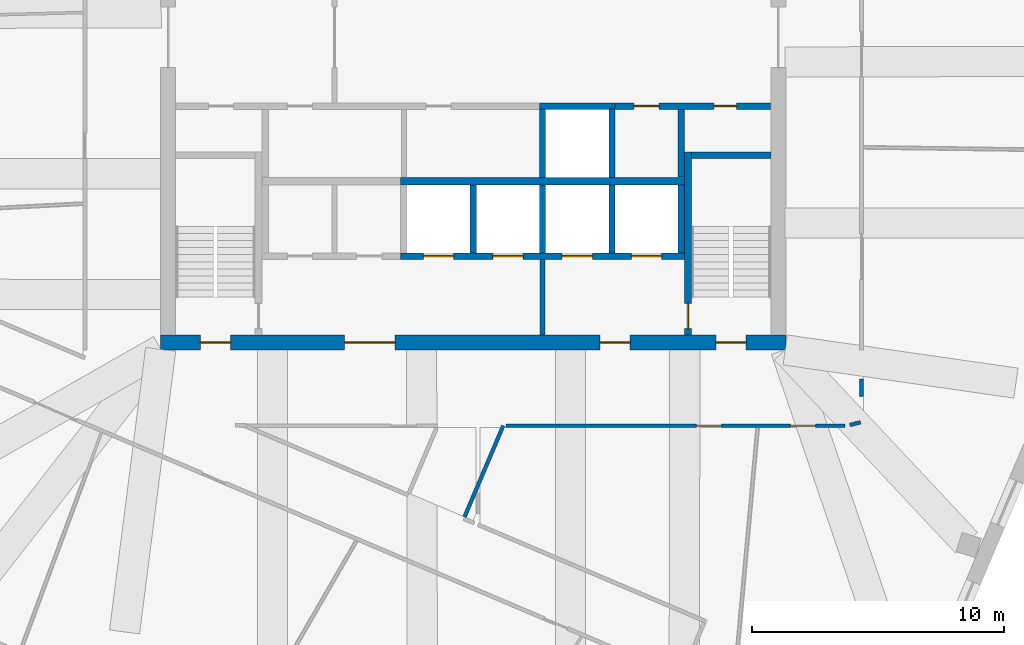
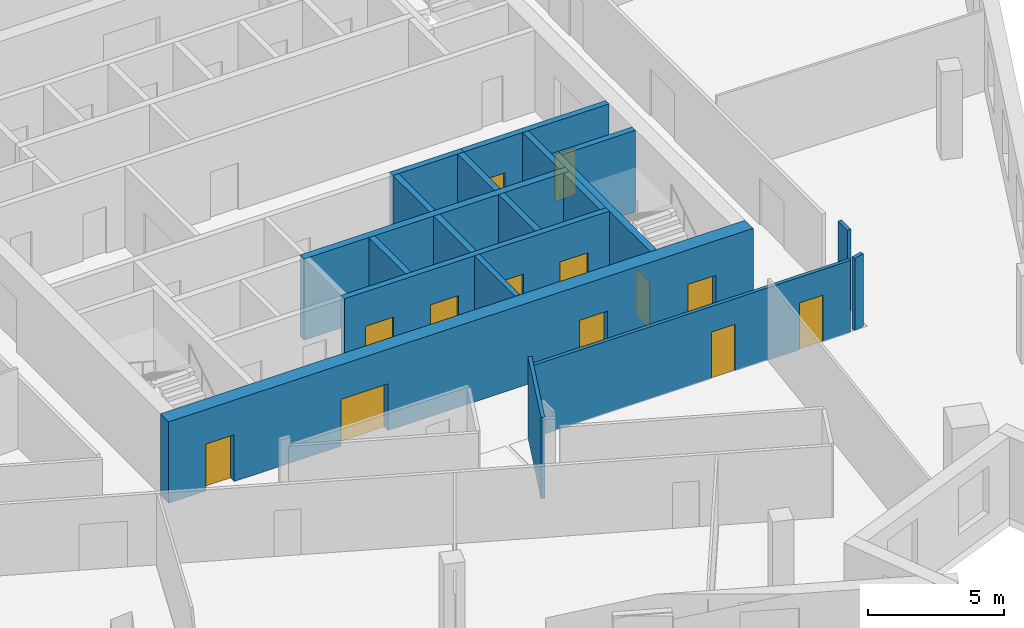
# One storey, part 7 of 13: 19 walls, 13 doors, 13 openings.
"""IFC4 building model written with IfcOpenShell, lengths in metres."""

import ifcopenshell
import ifcopenshell.guid

model = None  # the IFC model being written
_history = None  # IfcOwnerHistory: only IFC2X3 demands one
_inside = {}  # id of a spatial element -> (the spatial element, [elements in it])
_under = {}  # id of a project, library or spatial element -> (it, [spatial elements below it])
_declared = {}  # id of a project -> (the project, [libraries it declares])
_typed = {}  # id of a type object -> (the type object, [elements of that type])
_made_of = {}  # id of a material, layer set ... -> (it, [elements and type objects made of it])


def new_model(schema):
    """Start an empty IFC model of exactly this schema.

    Asked for "IFC4X3", IfcOpenShell would pick the latest addendum, in which some entities
    have other attributes; the version numbers below select the first issue.
    IFC2X3 requires an IfcOwnerHistory on every rooted entity: one is made here for all.
    """
    global model, _history
    if schema == "IFC4X3":
        model = ifcopenshell.file(schema_version=(4, 3, 0, 0))
    else:
        model = ifcopenshell.file(schema=schema)
    _inside.clear()
    _under.clear()
    _declared.clear()
    _typed.clear()
    _made_of.clear()
    _history = None
    if model.schema == "IFC2X3":
        org = make("IfcOrganization", Name="unknown")
        user = make(
            "IfcPersonAndOrganization",
            ThePerson=make("IfcPerson", FamilyName="unknown"),
            TheOrganization=org,
        )
        app = make(
            "IfcApplication",
            ApplicationDeveloper=org,
            Version="unknown",
            ApplicationFullName="unknown",
            ApplicationIdentifier="unknown",
        )
        _history = make(
            "IfcOwnerHistory",
            OwningUser=user,
            OwningApplication=app,
            ChangeAction="ADDED",
            CreationDate=0,
        )
    return model


def make(cls, **values):
    """One entity of the class cls with the attributes given. An attribute that is None is left unset."""
    return model.create_entity(
        cls, **{name: value for name, value in values.items() if value is not None}
    )


def rooted(cls, **values):
    """An entity with a GlobalId (a new one), such as an element, a storey or a relation."""
    return make(cls, GlobalId=ifcopenshell.guid.new(), OwnerHistory=_history, **values)


def si_unit(unit_type, name, prefix=None):
    """IfcSIUnit, for example si_unit("LENGTHUNIT", "METRE", prefix="MILLI")."""
    return make("IfcSIUnit", UnitType=unit_type, Prefix=prefix, Name=name)


def assignment(units):
    """IfcUnitAssignment: the units of a project."""
    return None if units is None else make("IfcUnitAssignment", Units=units)


def point(xyz):
    """IfcCartesianPoint."""
    return None if xyz is None else make("IfcCartesianPoint", Coordinates=xyz)


def direction(xyz):
    """IfcDirection."""
    return None if xyz is None else make("IfcDirection", DirectionRatios=xyz)


def frame(location, z_axis=None, x_axis=None):
    """IfcAxis2Placement3D, a coordinate frame: its origin and axes. An axis left out is left unset."""
    return make(
        "IfcAxis2Placement3D",
        Location=point(location),
        Axis=direction(z_axis),
        RefDirection=direction(x_axis),
    )


def frame_2d(location, x_axis=None):
    """IfcAxis2Placement2D, a coordinate frame in the plane: its origin and x axis."""
    return make(
        "IfcAxis2Placement2D", Location=point(location), RefDirection=direction(x_axis)
    )


def origin():
    """The frame at (0, 0, 0) with its axes left unset."""
    return frame((0.0, 0.0, 0.0))


def place(relative_to, where):
    """IfcLocalPlacement: puts the frame where relative to a parent placement (None: the world)."""
    return make(
        "IfcLocalPlacement", PlacementRelTo=relative_to, RelativePlacement=where
    )


def context(
    kind, dimensions, precision=None, world=None, true_north=None, identifier=None
):
    """IfcGeometricRepresentationContext, for example the 3D "Model" context."""
    return make(
        "IfcGeometricRepresentationContext",
        ContextIdentifier=identifier,
        ContextType=kind,
        CoordinateSpaceDimension=dimensions,
        Precision=precision,
        WorldCoordinateSystem=world,
        TrueNorth=true_north,
    )


def subcontext(parent, identifier, kind, view, scale=None):
    """IfcGeometricRepresentationSubContext, for example "Body" below "Model"."""
    return make(
        "IfcGeometricRepresentationSubContext",
        ContextIdentifier=identifier,
        ContextType=kind,
        ParentContext=parent,
        TargetScale=scale,
        TargetView=view,
    )


def project(units=None, contexts=None):
    """IfcProject with its units and contexts."""
    return rooted(
        "IfcProject",
        Name="project",
        RepresentationContexts=contexts,
        UnitsInContext=assignment(units),
    )


def spatial(cls, under=None, at=None, **own):
    """A site, building, storey or space (cls), placed at a placement, below another one or the project."""
    s = rooted(cls, ObjectPlacement=at, **own)
    if under is not None:
        _under.setdefault(under.id(), (under, []))[1].append(s)
    return s


def profile(cls, at=None, kind="AREA", **sizes):
    """A parametric profile (cls). Its sizes go by their IFC names, for example OverallWidth=200.0."""
    return make(cls, ProfileType=kind, Position=at, **sizes)


def rectangle(**sizes):
    """IfcRectangleProfileDef."""
    return profile("IfcRectangleProfileDef", **sizes)


def extrude(swept, where, along, depth):
    """IfcExtrudedAreaSolid: the profile swept, set in the frame where, extruded along a direction by depth."""
    return make(
        "IfcExtrudedAreaSolid",
        SweptArea=swept,
        Position=where,
        ExtrudedDirection=direction(along),
        Depth=depth,
    )


def shape(context_of_items, identifier, shape_type, items):
    """IfcShapeRepresentation: the items that make up one representation, for example the "Body"."""
    return make(
        "IfcShapeRepresentation",
        ContextOfItems=context_of_items,
        RepresentationIdentifier=identifier,
        RepresentationType=shape_type,
        Items=items,
    )


def material(Name=None, Category=None):
    """IfcMaterial."""
    return make("IfcMaterial", Name=Name, Category=Category)


def layer(
    of_material, thickness, ventilated=None, Name=None, Category=None, Priority=None
):
    """IfcMaterialLayer: one layer of a wall or slab, of a material (None: an air gap)."""
    return make(
        "IfcMaterialLayer",
        Material=of_material,
        LayerThickness=thickness,
        IsVentilated=ventilated,
        Name=Name,
        Category=Category,
        Priority=Priority,
    )


def layer_set(layers, Name=None):
    """IfcMaterialLayerSet."""
    return make("IfcMaterialLayerSet", MaterialLayers=layers, LayerSetName=Name)


def made_of(thing, what):
    """Note that an element or type object is made of a material, layer set ...; save() writes the relation."""
    if what is not None:
        _made_of.setdefault(what.id(), (what, []))[1].append(thing)
    return thing


def type_object(cls, material=None, **own):
    """A type object (cls), such as IfcWallType, which elements share."""
    return made_of(rooted(cls, **own), material)


def element(
    cls,
    number,
    at=None,
    inside=None,
    cuts=None,
    type_object=None,
    material=None,
    context=None,
    identifier="Body",
    shape_type=None,
    held_by="IfcProductDefinitionShape",
    body=None,
    shapes=None,
    **own,
):
    """One element of the class cls, such as IfcWall. Its Tag is "e" and its number.

    at: its placement. inside: the storey or other place that contains it. cuts: it is an
    opening in that element (IfcRelVoidsElement). A single representation is given by context,
    identifier, shape_type and body (its items); several are given by shapes. held_by: the class
    of the entity that holds the representations. save() writes the other relations.
    """
    e = rooted(cls, Tag="e%d" % number, ObjectPlacement=at, **own)
    if body is not None:
        shapes = [shape(context, identifier, shape_type, body)]
    if shapes is not None:
        e.Representation = make(held_by, Representations=shapes)
    if inside is not None:
        _inside.setdefault(inside.id(), (inside, []))[1].append(e)
    if cuts is not None:
        rooted(
            "IfcRelVoidsElement", RelatingBuildingElement=cuts, RelatedOpeningElement=e
        )
    if type_object is not None:
        _typed.setdefault(type_object.id(), (type_object, []))[1].append(e)
    return made_of(e, material)


def fill(opening, filler):
    """IfcRelFillsElement: the door or window that sits in an opening."""
    return rooted(
        "IfcRelFillsElement",
        RelatingOpeningElement=opening,
        RelatedBuildingElement=filler,
    )


def aggregate(whole, parts):
    """IfcRelAggregates: a whole, such as a stair, and the parts it consists of."""
    return rooted("IfcRelAggregates", RelatingObject=whole, RelatedObjects=parts)


def save(model, path):
    """Write the relations noted so far, then the file.

    IfcRelAggregates (storeys below a building ...), IfcRelContainedInSpatialStructure (elements
    in a storey), IfcRelDefinesByType, IfcRelAssociatesMaterial and IfcRelDeclares: one each for
    every whole, place, type object, material and project.
    """
    for whole, parts in _under.values():
        aggregate(whole, parts)
    for where, things in _inside.values():
        rooted(
            "IfcRelContainedInSpatialStructure",
            RelatedElements=things,
            RelatingStructure=where,
        )
    for kind, things in _typed.values():
        rooted("IfcRelDefinesByType", RelatedObjects=things, RelatingType=kind)
    for what, things in _made_of.values():
        rooted("IfcRelAssociatesMaterial", RelatedObjects=things, RelatingMaterial=what)
    for by, libraries in _declared.values():
        rooted("IfcRelDeclares", RelatingContext=by, RelatedDefinitions=libraries)
    model.write(path)


model = new_model("IFC4")

# Units and contexts
model_context = context("Model", 3, precision=1e-05, world=origin(), true_north=direction((0.0, 1.0)))
body_context = subcontext(model_context, "Body", "Model", "MODEL_VIEW")
ifc_project = project(units=[si_unit("LENGTHUNIT", "METRE"), si_unit("AREAUNIT", "SQUARE_METRE"), si_unit("VOLUMEUNIT", "CUBIC_METRE"), si_unit("PLANEANGLEUNIT", "RADIAN"), si_unit("MASSUNIT", "GRAM", prefix="KILO")], contexts=[model_context])

# Site, building, storey
site_placement = place(None, origin())
site = spatial("IfcSite", under=ifc_project, at=site_placement, CompositionType="ELEMENT")
building_placement = place(site_placement, origin())
building = spatial("IfcBuilding", under=site, at=building_placement, Name="Dilmun Exchange Tower", CompositionType="ELEMENT")
storey_placement = place(building_placement, frame((0.0, 0.0, 296.5)))
storey = spatial("IfcBuildingStorey", under=building, at=storey_placement, Name="L70", CompositionType="ELEMENT", Elevation=296.5)

# Walls
ifc_material_1 = material(Name="Concrete C40/50", Category="concrete")
ifc_layer_1 = layer(ifc_material_1, 0.199951171875)
ifc_layer_set_1 = layer_set([ifc_layer_1], Name="Concrete C40/50")
wall_type_1 = type_object("IfcWallType", Name="Core partition wall 200", PredefinedType="PARTITIONING", material=ifc_layer_set_1)
wall_1_placement = place(storey_placement, frame((2.75, -11.794921875, 0.0), z_axis=(0.0, 0.0, 1.0), x_axis=(0.0, 1.0, 0.0)))
element("IfcWall", 1, at=wall_1_placement, inside=storey, type_object=wall_type_1, Name="L70 core partition wall 01", PredefinedType="PARTITIONING", context=body_context, shape_type="SweptSolid", body=[
    extrude(rectangle(XDim=2.989990234375, YDim=0.199951171875, at=frame_2d((1.4951171875, 0.0))), origin(), (0.0, 0.0, 1.0), 3.64990234375),
])
ifc_layer_2 = layer(ifc_material_1, 0.25)
ifc_layer_set_2 = layer_set([ifc_layer_2], Name="Concrete C40/50")
wall_type_2 = type_object("IfcWallType", Name="Core partition wall 250", PredefinedType="PARTITIONING", material=ifc_layer_set_2)
wall_2_placement = place(storey_placement, frame((8.25, -5.544921875, 0.0), z_axis=(0.0, 0.0, 1.0), x_axis=(0.0, 1.0, 0.0)))
element("IfcWall", 2, at=wall_2_placement, inside=storey, type_object=wall_type_2, Name="L70 core partition wall 08", PredefinedType="PARTITIONING", context=body_context, shape_type="SweptSolid", body=[
    extrude(rectangle(XDim=2.68994140625, YDim=0.25, at=frame_2d((1.344970703125, 0.0))), origin(), (0.0, 0.0, 1.0), 3.64990234375),
])

# Wall, openings, doors
wall_3_placement = place(storey_placement, frame((5.6298828125, -2.72509765625, 0.0), z_axis=(0.0, 0.0, 1.0), x_axis=(1.0, 0.0, 0.0)))
wall_3 = element("IfcWall", 3, at=wall_3_placement, inside=storey, type_object=wall_type_2, Name="L70 core partition wall 10", PredefinedType="PARTITIONING", context=body_context, shape_type="SweptSolid", body=[
    extrude(rectangle(XDim=6.1650390625, YDim=0.25, at=frame_2d((3.08251953125, 0.0))), origin(), (0.0, 0.0, 1.0), 3.64990234375),
])
opening_1_placement = place(wall_3_placement, frame((0.7451171875, 0.0, 0.0)))
opening_1 = element("IfcOpeningElement", 4, at=opening_1_placement, cuts=wall_3, Name="Opening CD4", PredefinedType="OPENING", context=body_context, shape_type="SweptSolid", body=[
    extrude(rectangle(XDim=1.0, YDim=2.10009765625, at=frame_2d((0.5, 1.050048828125))), frame((0.0, 0.135009765625, 0.0), z_axis=(0.0, -1.0, 0.0), x_axis=(1.0, 0.0, 0.0)), (0.0, 0.0, 1.0), 0.27001953125),
])
opening_2_placement = place(wall_3_placement, frame((3.919921875, 0.0, 0.0)))
opening_2 = element("IfcOpeningElement", 5, at=opening_2_placement, cuts=wall_3, Name="Opening CD6", PredefinedType="OPENING", context=body_context, shape_type="SweptSolid", body=[
    extrude(rectangle(XDim=0.89990234375, YDim=2.10009765625, at=frame_2d((0.449951171875, 1.050048828125))), frame((0.0, 0.135009765625, 0.0), z_axis=(0.0, -1.0, 0.0), x_axis=(1.0, 0.0, 0.0)), (0.0, 0.0, 1.0), 0.27001953125),
])
ifc_material_2 = material(Name="Fire-rated steel door set", Category="steel")
door_type_1 = type_object("IfcDoorType", Name="Core room door 1000x2100", OperationType="SINGLE_SWING_LEFT", PredefinedType="DOOR", material=ifc_material_2)
door_1_placement = place(opening_1_placement, origin())
door_1 = element("IfcDoor", 6, at=door_1_placement, inside=storey, type_object=door_type_1, Name="L70 door Cleaners' store", OperationType="SINGLE_SWING_LEFT", OverallHeight=2.10009765625, OverallWidth=1.0, PredefinedType="DOOR", context=body_context, shape_type="SweptSolid", body=[
    extrude(rectangle(XDim=1.0, YDim=2.10009765625, at=frame_2d((0.5, 1.050048828125))), frame((0.0, 0.02490234375, 0.0), z_axis=(0.0, -1.0, 0.0), x_axis=(1.0, 0.0, 0.0)), (0.0, 0.0, 1.0), 0.050048828125),
])
fill(opening_1, door_1)
door_type_2 = type_object("IfcDoorType", Name="Core room door 900x2100", OperationType="SINGLE_SWING_LEFT", PredefinedType="DOOR", material=ifc_material_2)
door_2_placement = place(opening_2_placement, origin())
door_2 = element("IfcDoor", 7, at=door_2_placement, inside=storey, type_object=door_type_2, Name="L70 door Comms riser", OperationType="SINGLE_SWING_LEFT", OverallHeight=2.10009765625, OverallWidth=0.89990234375, PredefinedType="DOOR", context=body_context, shape_type="SweptSolid", body=[
    extrude(rectangle(XDim=0.89990234375, YDim=2.10009765625, at=frame_2d((0.449951171875, 1.050048828125))), frame((0.0, 0.02490234375, 0.0), z_axis=(0.0, -1.0, 0.0), x_axis=(1.0, 0.0, 0.0)), (0.0, 0.0, 1.0), 0.050048828125),
])
fill(opening_2, door_2)

ifc_material_3 = material(Name="Concrete C50/60", Category="concrete")
ifc_layer_3 = layer(ifc_material_3, 0.60009765625)
ifc_layer_set_3 = layer_set([ifc_layer_3], Name="Concrete C50/60")
wall_type_3 = type_object("IfcWallType", Name="Core shear wall 600 Concrete C50/60", PredefinedType="SHEAR", material=ifc_layer_set_3)
wall_4_placement = place(storey_placement, frame((-12.39990234375, -12.10009765625, 0.0), z_axis=(0.0, 0.0, 1.0), x_axis=(1.0, 0.0, 0.0)))
wall_4 = element("IfcWall", 8, at=wall_4_placement, inside=storey, type_object=wall_type_3, Name="L70 core shear wall S", PredefinedType="SHEAR", context=body_context, shape_type="SweptSolid", body=[
    extrude(rectangle(XDim=24.7998046875, YDim=0.60009765625, at=frame_2d((12.39990234375, 0.0))), origin(), (0.0, 0.0, 1.0), 3.64990234375),
])
opening_3_placement = place(wall_4_placement, frame((7.300048828125, 0.0, 0.0)))
opening_3 = element("IfcOpeningElement", 9, at=opening_3_placement, cuts=wall_4, Name="Opening CD2", PredefinedType="OPENING", context=body_context, shape_type="SweptSolid", body=[
    extrude(rectangle(XDim=2.0, YDim=2.10009765625, at=frame_2d((1.0, 1.050048828125))), frame((0.0, 0.31005859375, 0.0), z_axis=(0.0, -1.0, 0.0), x_axis=(1.0, 0.0, 0.0)), (0.0, 0.0, 1.0), 0.6201171875),
])
opening_4_placement = place(wall_4_placement, frame((17.425048828125, 0.0, 0.0)))
opening_4 = element("IfcOpeningElement", 10, at=opening_4_placement, cuts=wall_4, Name="Opening CD3", PredefinedType="OPENING", context=body_context, shape_type="SweptSolid", body=[
    extrude(rectangle(XDim=1.199951171875, YDim=2.10009765625, at=frame_2d((0.60009765625, 1.050048828125))), frame((0.0, 0.31005859375, 0.0), z_axis=(0.0, -1.0, 0.0), x_axis=(1.0, 0.0, 0.0)), (0.0, 0.0, 1.0), 0.6201171875),
])
opening_5_placement = place(wall_4_placement, frame((1.574951171875, 0.0, 0.0)))
opening_5 = element("IfcOpeningElement", 11, at=opening_5_placement, cuts=wall_4, Name="Opening CD3", PredefinedType="OPENING", context=body_context, shape_type="SweptSolid", body=[
    extrude(rectangle(XDim=1.199951171875, YDim=2.10009765625, at=frame_2d((0.60009765625, 1.050048828125))), frame((0.0, 0.31005859375, 0.0), z_axis=(0.0, -1.0, 0.0), x_axis=(1.0, 0.0, 0.0)), (0.0, 0.0, 1.0), 0.6201171875),
])
opening_6_placement = place(wall_4_placement, frame((22.02490234375, 0.0, 0.0)))
opening_6 = element("IfcOpeningElement", 12, at=opening_6_placement, cuts=wall_4, Name="Opening CD3", PredefinedType="OPENING", context=body_context, shape_type="SweptSolid", body=[
    extrude(rectangle(XDim=1.199951171875, YDim=2.10009765625, at=frame_2d((0.60009765625, 1.050048828125))), frame((0.0, 0.31005859375, 0.0), z_axis=(0.0, -1.0, 0.0), x_axis=(1.0, 0.0, 0.0)), (0.0, 0.0, 1.0), 0.6201171875),
])
door_type_3 = type_object("IfcDoorType", Name="Core service door 2000x2100", OperationType="DOUBLE_DOOR_DOUBLE_SWING", PredefinedType="DOOR", material=ifc_material_2)
door_3_placement = place(opening_3_placement, origin())
door_3 = element("IfcDoor", 13, at=door_3_placement, inside=storey, type_object=door_type_3, Name="L70 door South service lobby", OperationType="SINGLE_SWING_LEFT", OverallHeight=2.10009765625, OverallWidth=2.0, PredefinedType="DOOR", context=body_context, shape_type="SweptSolid", body=[
    extrude(rectangle(XDim=2.0, YDim=2.10009765625, at=frame_2d((1.0, 1.050048828125))), frame((0.0, 0.02490234375, 0.0), z_axis=(0.0, -1.0, 0.0), x_axis=(1.0, 0.0, 0.0)), (0.0, 0.0, 1.0), 0.050048828125),
])
fill(opening_3, door_3)
door_type_4 = type_object("IfcDoorType", Name="Stair exit door 1200x2100", OperationType="SINGLE_SWING_LEFT", PredefinedType="DOOR", material=ifc_material_2)
door_4_placement = place(opening_4_placement, origin())
door_4 = element("IfcDoor", 14, at=door_4_placement, inside=storey, type_object=door_type_4, Name="L70 door Fire-fighting lobby", OperationType="SINGLE_SWING_LEFT", OverallHeight=2.10009765625, OverallWidth=1.199951171875, PredefinedType="DOOR", context=body_context, shape_type="SweptSolid", body=[
    extrude(rectangle(XDim=1.199951171875, YDim=2.10009765625, at=frame_2d((0.60009765625, 1.050048828125))), frame((0.0, 0.02490234375, 0.0), z_axis=(0.0, -1.0, 0.0), x_axis=(1.0, 0.0, 0.0)), (0.0, 0.0, 1.0), 0.050048828125),
])
fill(opening_4, door_4)
door_5_placement = place(opening_5_placement, origin())
door_5 = element("IfcDoor", 15, at=door_5_placement, inside=storey, type_object=door_type_4, Name="L70 door Stair ST2", OperationType="SINGLE_SWING_LEFT", OverallHeight=2.10009765625, OverallWidth=1.199951171875, PredefinedType="DOOR", context=body_context, shape_type="SweptSolid", body=[
    extrude(rectangle(XDim=1.199951171875, YDim=2.10009765625, at=frame_2d((0.60009765625, 1.050048828125))), frame((0.0, 0.02490234375, 0.0), z_axis=(0.0, -1.0, 0.0), x_axis=(1.0, 0.0, 0.0)), (0.0, 0.0, 1.0), 0.050048828125),
])
fill(opening_5, door_5)
door_6_placement = place(opening_6_placement, origin())
door_6 = element("IfcDoor", 16, at=door_6_placement, inside=storey, type_object=door_type_4, Name="L70 door Stair ST3", OperationType="SINGLE_SWING_LEFT", OverallHeight=2.10009765625, OverallWidth=1.199951171875, PredefinedType="DOOR", context=body_context, shape_type="SweptSolid", body=[
    extrude(rectangle(XDim=1.199951171875, YDim=2.10009765625, at=frame_2d((0.60009765625, 1.050048828125))), frame((0.0, 0.02490234375, 0.0), z_axis=(0.0, -1.0, 0.0), x_axis=(1.0, 0.0, 0.0)), (0.0, 0.0, 1.0), 0.050048828125),
])
fill(opening_6, door_6)

# Wall
ifc_material_4 = material(Name="Corridor wall 150")
ifc_layer_4 = layer(ifc_material_4, 0.14990234375)
ifc_layer_set_4 = layer_set([ifc_layer_4], Name="Corridor wall 150")
wall_type_4 = type_object("IfcWallType", Name="Corridor wall 150", PredefinedType="PARTITIONING", material=ifc_layer_set_4)
wall_5_placement = place(storey_placement, frame((-0.345703125, -19.018798828125, 0.0), z_axis=(0.0, 0.0, 1.0), x_axis=(0.390836874274, 0.920459959861, 0.0)))
element("IfcWall", 17, at=wall_5_placement, inside=storey, type_object=wall_type_4, Name="Corridor wall", PredefinedType="PARTITIONING", context=body_context, shape_type="SweptSolid", body=[
    extrude(rectangle(XDim=3.931640625, YDim=0.14990234375, at=frame_2d((1.9658203125, 0.0))), origin(), (0.0, 0.0, 1.0), 3.64990234375),
])

# Wall, openings, doors
wall_6_placement = place(storey_placement, frame((1.30419921875, -15.39990234375, 0.0), z_axis=(0.0, 0.0, 1.0), x_axis=(1.0, 0.0, 0.0)))
wall_6 = element("IfcWall", 18, at=wall_6_placement, inside=storey, type_object=wall_type_4, Name="Corridor wall", PredefinedType="PARTITIONING", context=body_context, shape_type="SweptSolid", body=[
    extrude(rectangle(XDim=13.44580078125, YDim=0.14990234375, at=frame_2d((6.722900390625, 0.0))), origin(), (0.0, 0.0, 1.0), 3.25),
])
opening_7_placement = place(wall_6_placement, frame((7.550048828125, 0.0, 0.0)))
opening_7 = element("IfcOpeningElement", 19, at=opening_7_placement, cuts=wall_6, Name="Opening TF70-D11", PredefinedType="OPENING", context=body_context, shape_type="SweptSolid", body=[
    extrude(rectangle(XDim=1.0, YDim=2.10009765625, at=frame_2d((0.5, 1.050048828125))), frame((0.0, 0.0849609375, 0.0), z_axis=(0.0, -1.0, 0.0), x_axis=(1.0, 0.0, 0.0)), (0.0, 0.0, 1.0), 0.169921875),
])
opening_8_placement = place(wall_6_placement, frame((11.2783203125, 0.0, 0.0)))
opening_8 = element("IfcOpeningElement", 20, at=opening_8_placement, cuts=wall_6, Name="Opening TF70-D15", PredefinedType="OPENING", context=body_context, shape_type="SweptSolid", body=[
    extrude(rectangle(XDim=1.0, YDim=2.10009765625, at=frame_2d((0.5, 1.050048828125))), frame((0.0, 0.0849609375, 0.0), z_axis=(0.0, -1.0, 0.0), x_axis=(1.0, 0.0, 0.0)), (0.0, 0.0, 1.0), 0.169921875),
])
ifc_material_5 = material(Name="Fire door 1000 x 2100")
door_type_5 = type_object("IfcDoorType", Name="Fire door 1000 x 2100", OperationType="NOTDEFINED", PredefinedType="DOOR", material=ifc_material_5)
door_7_placement = place(opening_7_placement, frame((1.0, 0.0, 0.0), z_axis=(0.0, 0.0, 1.0), x_axis=(-1.0, 0.0, 0.0)))
door_7 = element("IfcDoor", 21, at=door_7_placement, inside=storey, type_object=door_type_5, Name="Door TF70-D11", OperationType="SINGLE_SWING_RIGHT", OverallHeight=2.10009765625, OverallWidth=1.0, PredefinedType="DOOR", context=body_context, shape_type="SweptSolid", body=[
    extrude(rectangle(XDim=1.0, YDim=2.10009765625, at=frame_2d((0.5, 1.050048828125))), frame((0.0, 0.02490234375, 0.0), z_axis=(0.0, -1.0, 0.0), x_axis=(1.0, 0.0, 0.0)), (0.0, 0.0, 1.0), 0.050048828125),
])
fill(opening_7, door_7)
door_8_placement = place(opening_8_placement, frame((1.0, 0.0, 0.0), z_axis=(0.0, 0.0, 1.0), x_axis=(-1.0, 0.0, 0.0)))
door_8 = element("IfcDoor", 22, at=door_8_placement, inside=storey, type_object=door_type_5, Name="Door TF70-D15", OperationType="SINGLE_SWING_RIGHT", OverallHeight=2.10009765625, OverallWidth=1.0, PredefinedType="DOOR", context=body_context, shape_type="SweptSolid", body=[
    extrude(rectangle(XDim=1.0, YDim=2.10009765625, at=frame_2d((0.5, 1.050048828125))), frame((0.0, 0.02490234375, 0.0), z_axis=(0.0, -1.0, 0.0), x_axis=(1.0, 0.0, 0.0)), (0.0, 0.0, 1.0), 0.050048828125),
])
fill(opening_8, door_8)

# Walls
wall_7_placement = place(storey_placement, frame((15.359619140625, -15.263427734375, 0.0), z_axis=(0.0, 0.0, 1.0), x_axis=(-0.968229060736, -0.250064963452, 0.0)))
element("IfcWall", 23, at=wall_7_placement, inside=storey, type_object=wall_type_4, Name="Corridor wall", PredefinedType="PARTITIONING", context=body_context, shape_type="SweptSolid", body=[
    extrude(rectangle(XDim=0.4345703125, YDim=0.14990234375, at=frame_2d((0.21728515625, 0.0))), origin(), (0.0, 0.0, 1.0), 3.25),
])
wall_8_placement = place(storey_placement, frame((15.39990234375, -14.250244140625, 0.0), z_axis=(0.0, 0.0, 1.0), x_axis=(0.0, 1.0, 0.0)))
element("IfcWall", 24, at=wall_8_placement, inside=storey, type_object=wall_type_4, Name="Corridor wall", PredefinedType="PARTITIONING", context=body_context, shape_type="SweptSolid", body=[
    extrude(rectangle(XDim=0.700439453125, YDim=0.14990234375, at=frame_2d((0.35009765625, 0.0))), origin(), (0.0, 0.0, 1.0), 3.64990234375),
])
ifc_layer_5 = layer(ifc_material_1, 0.300048828125)
ifc_layer_set_5 = layer_set([ifc_layer_5], Name="Concrete C40/50")
wall_type_5 = type_object("IfcWallType", Name="Lift shaft shared wall 300", PredefinedType="SOLIDWALL", material=ifc_layer_set_5)
wall_9_placement = place(storey_placement, frame((-2.875, -5.699951171875, 0.0), z_axis=(0.0, 0.0, 1.0), x_axis=(1.0, 0.0, 0.0)))
element("IfcWall", 25, at=wall_9_placement, inside=storey, type_object=wall_type_5, Name="L70 lift shaft rear wall S", PredefinedType="SOLIDWALL", context=body_context, shape_type="SweptSolid", body=[
    extrude(rectangle(XDim=11.25, YDim=0.300048828125, at=frame_2d((5.625, 0.0))), origin(), (0.0, 0.0, 1.0), 3.64990234375),
])
ifc_layer_6 = layer(ifc_material_1, 0.25)
ifc_layer_set_6 = layer_set([ifc_layer_6], Name="Concrete C40/50")
wall_type_6 = type_object("IfcWallType", Name="Lift shaft wall 250", PredefinedType="SOLIDWALL", material=ifc_layer_set_6)
wall_10_placement = place(storey_placement, frame((2.625, -2.72509765625, 0.0), z_axis=(0.0, 0.0, 1.0), x_axis=(1.0, 0.0, 0.0)))
element("IfcWall", 26, at=wall_10_placement, inside=storey, type_object=wall_type_6, Name="L70 lift shaft front wall S1", PredefinedType="SOLIDWALL", context=body_context, shape_type="SweptSolid", body=[
    extrude(rectangle(XDim=3.0, YDim=0.25, at=frame_2d((1.5, 0.0))), origin(), (0.0, 0.0, 1.0), 3.64990234375),
])
for number, where, z_axis, x_axis, name in (
    (27, (2.75, -5.550048828125, 0.0), (0.0, 0.0, 1.0), (0.0, 1.0, 0.0), "L70 lift shaft divider S14"),
    (28, (5.5, -5.550048828125, 0.0), (0.0, 0.0, 1.0), (0.0, 1.0, 0.0), "L70 lift shaft divider S15"),
):
    element("IfcWall", number, at=place(storey_placement, frame(where, z_axis=z_axis, x_axis=x_axis)), inside=storey, type_object=wall_type_6, Name=name, PredefinedType="SOLIDWALL", context=body_context, shape_type="SweptSolid", body=[
        extrude(rectangle(XDim=2.699951171875, YDim=0.25, at=frame_2d((1.35009765625, 0.0))), origin(), (0.0, 0.0, 1.0), 3.64990234375),
    ])

# Wall, openings, doors
wall_11_placement = place(storey_placement, frame((-2.875, -8.675048828125, 0.0), z_axis=(0.0, 0.0, 1.0), x_axis=(1.0, 0.0, 0.0)))
wall_11 = element("IfcWall", 29, at=wall_11_placement, inside=storey, type_object=wall_type_6, Name="L70 lift shaft front wall S2", PredefinedType="SOLIDWALL", context=body_context, shape_type="SweptSolid", body=[
    extrude(rectangle(XDim=11.25, YDim=0.25, at=frame_2d((5.625, 0.0))), origin(), (0.0, 0.0, 1.0), 3.64990234375),
])
opening_9_placement = place(wall_11_placement, frame((0.89990234375, 0.0, 0.0)))
opening_9 = element("IfcOpeningElement", 30, at=opening_9_placement, cuts=wall_11, Name="Opening LD", PredefinedType="OPENING", context=body_context, shape_type="SweptSolid", body=[
    extrude(rectangle(XDim=1.199951171875, YDim=2.10009765625, at=frame_2d((0.60009765625, 1.050048828125))), frame((0.0, 0.135009765625, 0.0), z_axis=(0.0, -1.0, 0.0), x_axis=(1.0, 0.0, 0.0)), (0.0, 0.0, 1.0), 0.27001953125),
])
opening_10_placement = place(wall_11_placement, frame((3.64990234375, 0.0, 0.0)))
opening_10 = element("IfcOpeningElement", 31, at=opening_10_placement, cuts=wall_11, Name="Opening LD", PredefinedType="OPENING", context=body_context, shape_type="SweptSolid", body=[
    extrude(rectangle(XDim=1.199951171875, YDim=2.10009765625, at=frame_2d((0.60009765625, 1.050048828125))), frame((0.0, 0.135009765625, 0.0), z_axis=(0.0, -1.0, 0.0), x_axis=(1.0, 0.0, 0.0)), (0.0, 0.0, 1.0), 0.27001953125),
])
opening_11_placement = place(wall_11_placement, frame((6.39990234375, 0.0, 0.0)))
opening_11 = element("IfcOpeningElement", 32, at=opening_11_placement, cuts=wall_11, Name="Opening LD", PredefinedType="OPENING", context=body_context, shape_type="SweptSolid", body=[
    extrude(rectangle(XDim=1.199951171875, YDim=2.10009765625, at=frame_2d((0.60009765625, 1.050048828125))), frame((0.0, 0.135009765625, 0.0), z_axis=(0.0, -1.0, 0.0), x_axis=(1.0, 0.0, 0.0)), (0.0, 0.0, 1.0), 0.27001953125),
])
opening_12_placement = place(wall_11_placement, frame((9.14990234375, 0.0, 0.0)))
opening_12 = element("IfcOpeningElement", 33, at=opening_12_placement, cuts=wall_11, Name="Opening LD", PredefinedType="OPENING", context=body_context, shape_type="SweptSolid", body=[
    extrude(rectangle(XDim=1.199951171875, YDim=2.10009765625, at=frame_2d((0.60009765625, 1.050048828125))), frame((0.0, 0.135009765625, 0.0), z_axis=(0.0, -1.0, 0.0), x_axis=(1.0, 0.0, 0.0)), (0.0, 0.0, 1.0), 0.27001953125),
])
door_type_6 = type_object("IfcDoorType", Name="Lift landing door 1200x2100", OperationType="DOUBLE_DOOR_SLIDING", PredefinedType="DOOR", material=ifc_material_2)
door_9_placement = place(opening_9_placement, origin())
door_9 = element("IfcDoor", 34, at=door_9_placement, inside=storey, type_object=door_type_6, Name="L70 landing door SV1", OperationType="DOUBLE_DOOR_SLIDING", OverallHeight=2.10009765625, OverallWidth=1.199951171875, PredefinedType="DOOR", context=body_context, shape_type="SweptSolid", body=[
    extrude(rectangle(XDim=1.199951171875, YDim=2.10009765625, at=frame_2d((0.60009765625, 1.050048828125))), frame((0.0, 0.02490234375, 0.0), z_axis=(0.0, -1.0, 0.0), x_axis=(1.0, 0.0, 0.0)), (0.0, 0.0, 1.0), 0.050048828125),
])
fill(opening_9, door_9)
door_10_placement = place(opening_10_placement, origin())
door_10 = element("IfcDoor", 35, at=door_10_placement, inside=storey, type_object=door_type_6, Name="L70 landing door SV2", OperationType="DOUBLE_DOOR_SLIDING", OverallHeight=2.10009765625, OverallWidth=1.199951171875, PredefinedType="DOOR", context=body_context, shape_type="SweptSolid", body=[
    extrude(rectangle(XDim=1.199951171875, YDim=2.10009765625, at=frame_2d((0.60009765625, 1.050048828125))), frame((0.0, 0.02490234375, 0.0), z_axis=(0.0, -1.0, 0.0), x_axis=(1.0, 0.0, 0.0)), (0.0, 0.0, 1.0), 0.050048828125),
])
fill(opening_10, door_10)
door_11_placement = place(opening_11_placement, origin())
door_11 = element("IfcDoor", 36, at=door_11_placement, inside=storey, type_object=door_type_6, Name="L70 landing door FF1", OperationType="DOUBLE_DOOR_SLIDING", OverallHeight=2.10009765625, OverallWidth=1.199951171875, PredefinedType="DOOR", context=body_context, shape_type="SweptSolid", body=[
    extrude(rectangle(XDim=1.199951171875, YDim=2.10009765625, at=frame_2d((0.60009765625, 1.050048828125))), frame((0.0, 0.02490234375, 0.0), z_axis=(0.0, -1.0, 0.0), x_axis=(1.0, 0.0, 0.0)), (0.0, 0.0, 1.0), 0.050048828125),
])
fill(opening_11, door_11)
door_12_placement = place(opening_12_placement, origin())
door_12 = element("IfcDoor", 37, at=door_12_placement, inside=storey, type_object=door_type_6, Name="L70 landing door FF2", OperationType="DOUBLE_DOOR_SLIDING", OverallHeight=2.10009765625, OverallWidth=1.199951171875, PredefinedType="DOOR", context=body_context, shape_type="SweptSolid", body=[
    extrude(rectangle(XDim=1.199951171875, YDim=2.10009765625, at=frame_2d((0.60009765625, 1.050048828125))), frame((0.0, 0.02490234375, 0.0), z_axis=(0.0, -1.0, 0.0), x_axis=(1.0, 0.0, 0.0)), (0.0, 0.0, 1.0), 0.050048828125),
])
fill(opening_12, door_12)

# Walls
for number, where, z_axis, x_axis, name in (
    (38, (0.0, -8.550048828125, 0.0), (0.0, 0.0, 1.0), (0.0, 1.0, 0.0), "L70 lift shaft divider S23"),
    (39, (2.75, -8.550048828125, 0.0), (0.0, 0.0, 1.0), (0.0, 1.0, 0.0), "L70 lift shaft divider S24"),
    (40, (5.5, -8.550048828125, 0.0), (0.0, 0.0, 1.0), (0.0, 1.0, 0.0), "L70 lift shaft divider S25"),
    (41, (8.25, -8.550048828125, 0.0), (0.0, 0.0, 1.0), (0.0, 1.0, 0.0), "L70 lift shaft divider S26"),
):
    element("IfcWall", number, at=place(storey_placement, frame(where, z_axis=z_axis, x_axis=x_axis)), inside=storey, type_object=wall_type_6, Name=name, PredefinedType="SOLIDWALL", context=body_context, shape_type="SweptSolid", body=[
        extrude(rectangle(XDim=2.699951171875, YDim=0.25, at=frame_2d((1.35009765625, 0.0))), origin(), (0.0, 0.0, 1.0), 3.64990234375),
    ])
ifc_layer_7 = layer(ifc_material_1, 0.25)
ifc_layer_set_7 = layer_set([ifc_layer_7], Name="Concrete C40/50")
wall_type_7 = type_object("IfcWallType", Name="Stair end wall 250", PredefinedType="SOLIDWALL", material=ifc_layer_set_7)
wall_12_placement = place(storey_placement, frame((8.64990234375, -4.675048828125, 0.0), z_axis=(0.0, 0.0, 1.0), x_axis=(1.0, 0.0, 0.0)))
element("IfcWall", 42, at=wall_12_placement, inside=storey, type_object=wall_type_7, Name="L70 ST3 far wall", PredefinedType="SOLIDWALL", context=body_context, shape_type="SweptSolid", body=[
    extrude(rectangle(XDim=3.150146484375, YDim=0.25, at=frame_2d((1.5751953125, 0.0))), origin(), (0.0, 0.0, 1.0), 3.64990234375),
])

# Wall, opening, door
ifc_layer_8 = layer(ifc_material_1, 0.27490234375)
ifc_layer_set_8 = layer_set([ifc_layer_8], Name="Concrete C40/50")
wall_type_8 = type_object("IfcWallType", Name="Stair wall 275", PredefinedType="SOLIDWALL", material=ifc_layer_set_8)
wall_13_placement = place(storey_placement, frame((8.512451171875, -4.550048828125, 0.0), z_axis=(0.0, 0.0, 1.0), x_axis=(0.0, -1.0, 0.0)))
wall_13 = element("IfcWall", 43, at=wall_13_placement, inside=storey, type_object=wall_type_8, Name="L70 ST3 wall to lift block", PredefinedType="SOLIDWALL", context=body_context, shape_type="SweptSolid", body=[
    extrude(rectangle(XDim=7.25, YDim=0.27490234375, at=frame_2d((3.625, 0.0))), origin(), (0.0, 0.0, 1.0), 3.64990234375),
])
opening_13_placement = place(wall_13_placement, frame((6.0, 0.0, 0.0)))
opening_13 = element("IfcOpeningElement", 44, at=opening_13_placement, cuts=wall_13, Name="Opening CD4", PredefinedType="OPENING", context=body_context, shape_type="SweptSolid", body=[
    extrude(rectangle(XDim=1.0, YDim=2.10009765625, at=frame_2d((0.5, 1.050048828125))), frame((0.0, 0.1474609375, 0.0), z_axis=(0.0, -1.0, 0.0), x_axis=(1.0, 0.0, 0.0)), (0.0, 0.0, 1.0), 0.294921875),
])
door_13_placement = place(opening_13_placement, origin())
door_13 = element("IfcDoor", 45, at=door_13_placement, inside=storey, type_object=door_type_1, Name="L70 door ST3 from lobby", OperationType="SINGLE_SWING_LEFT", OverallHeight=2.10009765625, OverallWidth=1.0, PredefinedType="DOOR", context=body_context, shape_type="SweptSolid", body=[
    extrude(rectangle(XDim=1.0, YDim=2.10009765625, at=frame_2d((0.5, 1.050048828125))), frame((0.0, 0.02490234375, 0.0), z_axis=(0.0, -1.0, 0.0), x_axis=(1.0, 0.0, 0.0)), (0.0, 0.0, 1.0), 0.050048828125),
])
fill(opening_13, door_13)

save(model, "model.ifc")
